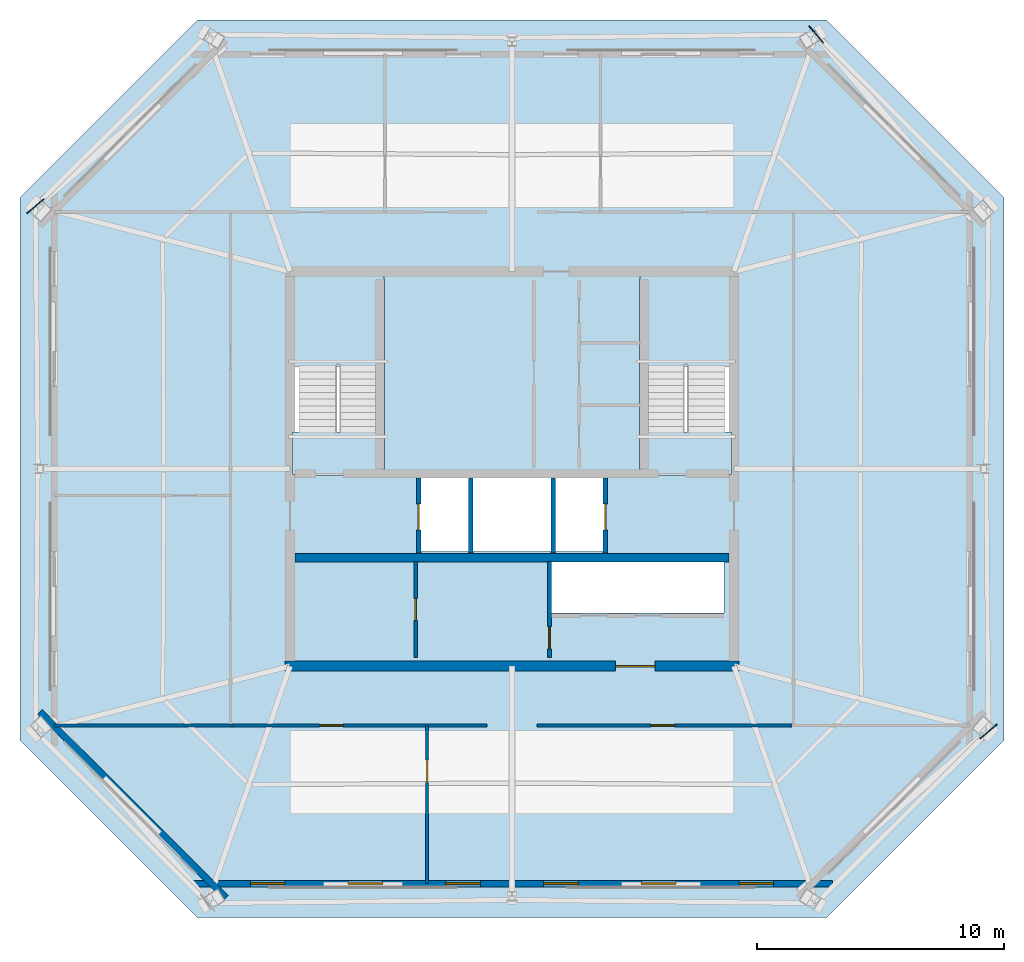
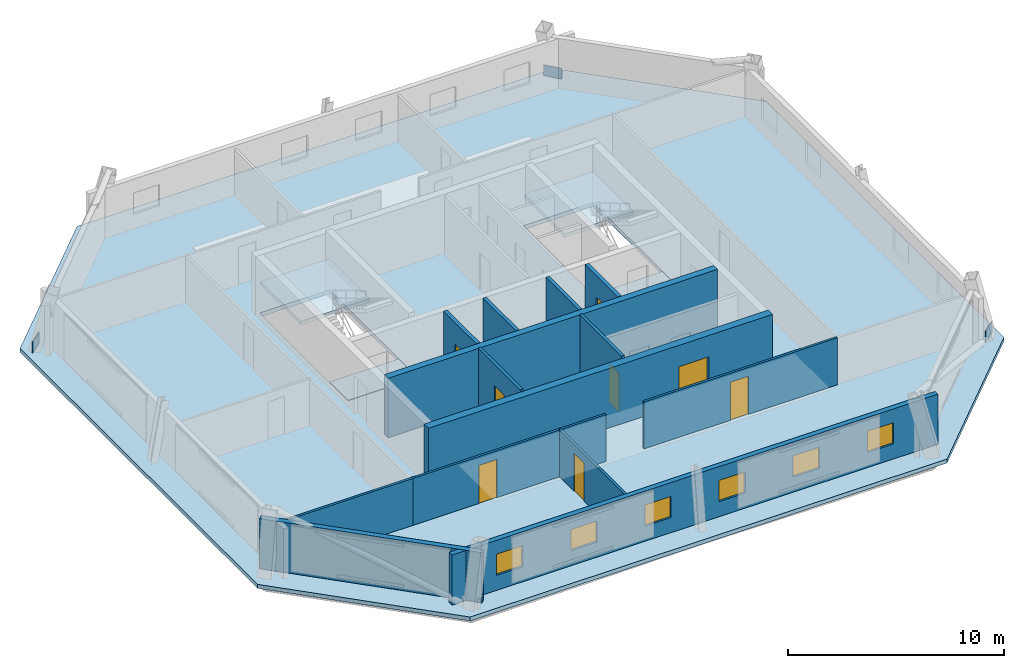
# One storey, part 2 of 6: 14 walls, 8 doors, 6 windows, 5 slabs, 3 plates, 14 openings, 2 elements without a shape of their own.
"""IFC4 building model written with IfcOpenShell, lengths in metres."""

from ifc_helpers import new_model, si_unit, direction, frame, frame_2d, origin, origin_2d, place, context, subcontext, project, spatial, polyline, rectangle, outline, extrude, material, layer, layer_set, type_object, element, fill, aggregate, save


model = new_model("IFC4")

# Units and contexts
model_context = context("Model", 3, precision=1e-05, world=origin(), true_north=direction((0.0, 1.0)))
body_context = subcontext(model_context, "Body", "Model", "MODEL_VIEW")
ifc_project = project(units=[si_unit("LENGTHUNIT", "METRE"), si_unit("AREAUNIT", "SQUARE_METRE"), si_unit("VOLUMEUNIT", "CUBIC_METRE"), si_unit("PLANEANGLEUNIT", "RADIAN"), si_unit("MASSUNIT", "GRAM", prefix="KILO")], contexts=[model_context])

# Site, building, storey
site_placement = place(None, origin())
site = spatial("IfcSite", under=ifc_project, at=site_placement, CompositionType="ELEMENT")
building_placement = place(site_placement, origin())
building = spatial("IfcBuilding", under=site, at=building_placement, Name="Caelvoria Tower", CompositionType="ELEMENT")
storey_placement = place(building_placement, frame((0.0, 0.0, 246.60009765625)))
storey = spatial("IfcBuildingStorey", under=building, at=storey_placement, Name="L65", CompositionType="ELEMENT", Elevation=246.60009765625)

# Plates
ifc_material_1 = material(Name="Structural Steel ASTM A572 Gr.50", Category="steel")
ifc_layer_1 = layer(ifc_material_1, 0.0400390625, Name="Structural Steel ASTM A572 Gr.50")
ifc_layer_set_1 = layer_set([ifc_layer_1], Name="Megaframe Node Gusset Plate 900x600x40 - Structural Steel ASTM A572 Gr.50")
plate_type = type_object("IfcPlateType", Name="Megaframe Node Gusset Plate 900x600x40", PredefinedType="USERDEFINED", material=ifc_layer_set_1)
for number, where, z_axis, x_axis, name in (
    (1, (65.319580078125, 21.34765625, 0.019775390625), (0.0, 0.0, 1.0), (-0.763235852869, -0.646119983358, 0.0), "Chamfer Mega Brace Gusset L65 SE"),
    (2, (58.3369140625, 49.6103515625, 0.019775390625), (0.0, 0.0, 1.0), (0.647212972006, -0.762309234411, 0.0), "Chamfer Mega Brace Gusset L65 NE"),
    (3, (26.680419921875, 42.65234375, 0.019775390625), (0.0, 0.0, 1.0), (0.763235852869, 0.646119983358, 0.0), "Chamfer Mega Brace Gusset L65 NW"),
):
    element("IfcPlate", number, at=place(storey_placement, frame(where, z_axis=z_axis, x_axis=x_axis)), inside=storey, type_object=plate_type, Name=name, ObjectType="GUSSET_PLATE", PredefinedType="USERDEFINED", context=body_context, shape_type="SweptSolid", body=[
        extrude(rectangle(XDim=0.89990234375, YDim=0.0400390625, at=origin_2d()), origin(), (0.0, 0.0, 1.0), 0.60009765625),
    ])

# Stair, slabs
ifc_material_2 = material(Name="Concrete C40/50", Category="concrete")
stair_type = type_object("IfcStairType", Name="Core Smokeproof Dogleg Stair Concrete C40/50", PredefinedType="HALF_TURN_STAIR", material=ifc_material_2)
stair_1_placement = place(storey_placement, origin())
stair_1 = element("IfcStair", 4, at=stair_1_placement, inside=storey, type_object=stair_type, Name="ST-01 Smokeproof Exit Stair L65", PredefinedType="HALF_TURN_STAIR")
ifc_layer_2 = layer(ifc_material_2, 0.199951171875, Name="Concrete C40/50")
ifc_layer_set_2 = layer_set([ifc_layer_2], Name="Stair Half and Floor Landing Slab 200 Concrete C40/50 - Concrete C40/50")
slab_type_1 = type_object("IfcSlabType", Name="Stair Half and Floor Landing Slab 200 Concrete C40/50", PredefinedType="LANDING", material=ifc_layer_set_2)
slab_1_placement = place(storey_placement, frame((0.0, 0.0, -0.2001953125)))
slab_1 = element("IfcSlab", 5, at=slab_1_placement, type_object=slab_type_1, Name="ST-01 landing 1", PredefinedType="LANDING", context=body_context, shape_type="SweptSolid", body=[
    extrude(outline(polyline([(37.10009765625, 31.77001953125), (40.800048828125, 31.77001953125), (40.800048828125, 33.5), (37.10009765625, 33.5), (37.10009765625, 31.77001953125)])), origin(), (0.0, 0.0, 1.0), 0.2001953125),
])
slab_2_placement = place(storey_placement, frame((0.0, 0.0, 1.599853515625)))
slab_2 = element("IfcSlab", 6, at=slab_2_placement, type_object=slab_type_1, Name="ST-01 landing 2", PredefinedType="LANDING", context=body_context, shape_type="SweptSolid", body=[
    extrude(outline(polyline([(37.10009765625, 36.14990234375), (40.800048828125, 36.14990234375), (40.800048828125, 39.89990234375), (37.10009765625, 39.89990234375), (37.10009765625, 36.14990234375)])), origin(), (0.0, 0.0, 1.0), 0.199951171875),
])
aggregate(stair_1, [slab_1, slab_2])

stair_2_placement = place(storey_placement, origin())
stair_2 = element("IfcStair", 7, at=stair_2_placement, inside=storey, type_object=stair_type, Name="ST-02 Smokeproof Exit Stair L65", PredefinedType="HALF_TURN_STAIR")
slab_3_placement = place(storey_placement, frame((0.0, 0.0, -0.2001953125)))
slab_3 = element("IfcSlab", 8, at=slab_3_placement, type_object=slab_type_1, Name="ST-02 landing 1", PredefinedType="LANDING", context=body_context, shape_type="SweptSolid", body=[
    extrude(outline(polyline([(51.199951171875, 31.77001953125), (54.89990234375, 31.77001953125), (54.89990234375, 33.5), (51.199951171875, 33.5), (51.199951171875, 31.77001953125)])), origin(), (0.0, 0.0, 1.0), 0.2001953125),
])
slab_4_placement = place(storey_placement, frame((0.0, 0.0, 1.599853515625)))
slab_4 = element("IfcSlab", 9, at=slab_4_placement, type_object=slab_type_1, Name="ST-02 landing 2", PredefinedType="LANDING", context=body_context, shape_type="SweptSolid", body=[
    extrude(outline(polyline([(51.199951171875, 36.14990234375), (54.89990234375, 36.14990234375), (54.89990234375, 39.89990234375), (51.199951171875, 39.89990234375), (51.199951171875, 36.14990234375)])), origin(), (0.0, 0.0, 1.0), 0.199951171875),
])
aggregate(stair_2, [slab_3, slab_4])

# Slab
ifc_layer_3 = layer(ifc_material_2, 0.22509765625, Name="Concrete C40/50")
ifc_layer_set_3 = layer_set([ifc_layer_3], Name="Upper Tower Composite Office Slab 225 - Concrete C40/50")
slab_type_2 = type_object("IfcSlabType", Name="Upper Tower Composite Office Slab 225", PredefinedType="FLOOR", material=ifc_layer_set_3)
slab_5_placement = place(storey_placement, frame((0.0, 0.0, -0.22509765625)))
element("IfcSlab", 10, at=slab_5_placement, inside=storey, type_object=slab_type_2, Name="Level L65 Structural Floor Slab", PredefinedType="FLOOR", context=body_context, shape_type="SweptSolid", body=[
    extrude(outline(polyline([(33.25, 13.800048828125), (58.75, 13.800048828125), (65.949951171875, 21.0), (65.949951171875, 43.0), (58.75, 50.199951171875), (33.25, 50.199951171875), (26.050048828125, 43.0), (26.050048828125, 21.0), (33.25, 13.800048828125)]), holes=[polyline([(37.080078125, 31.75), (40.820068359375, 31.75), (40.820068359375, 39.919921875), (37.080078125, 39.919921875), (37.080078125, 31.75)]), polyline([(51.179931640625, 31.75), (54.919921875, 31.75), (54.919921875, 39.919921875), (51.179931640625, 39.919921875), (51.179931640625, 31.75)]), polyline([(42.25, 28.64990234375), (49.75, 28.64990234375), (49.75, 31.800048828125), (42.25, 31.800048828125), (42.25, 28.64990234375)]), polyline([(47.60009765625, 26.14990234375), (54.60009765625, 26.14990234375), (54.60009765625, 28.25), (47.60009765625, 28.25), (47.60009765625, 26.14990234375)])]), origin(), (0.0, 0.0, 1.0), 0.22509765625),
])

# Wall
ifc_material_3 = material(Name="Concrete C50/60", Category="concrete")
ifc_layer_4 = layer(ifc_material_3, 0.35009765625, Name="Concrete C50/60")
ifc_layer_set_4 = layer_set([ifc_layer_4], Name="Core Internal Shear Wall 350 - Concrete C50/60")
wall_type_1 = type_object("IfcWallType", Name="Core Internal Shear Wall 350", PredefinedType="SHEAR", material=ifc_layer_set_4)
wall_1_placement = place(storey_placement, frame((37.199951171875, 28.39990234375, 0.0), z_axis=(0.0, 0.0, 1.0), x_axis=(1.0, 0.0, 0.0)))
element("IfcWall", 11, at=wall_1_placement, inside=storey, type_object=wall_type_1, Name="Core Shear Wall L65 M2", PredefinedType="SHEAR", context=body_context, shape_type="SweptSolid", body=[
    extrude(rectangle(XDim=17.60009765625, YDim=0.35009765625, at=frame_2d((8.800048828125, 0.0))), origin(), (0.0, 0.0, 1.0), 3.35986328125),
])

# Wall, opening, door
ifc_material_4 = material(Name="Double Gypsum Board on Steel Stud", Category="steel")
ifc_layer_5 = layer(ifc_material_4, 0.14990234375, Name="Double Gypsum Board on Steel Stud")
ifc_layer_set_5 = layer_set([ifc_layer_5], Name="Core Service Acoustic Partition Wall 150 - Double Gypsum Board on Steel Stud")
wall_type_2 = type_object("IfcWallType", Name="Core Service Acoustic Partition Wall 150", PredefinedType="PARTITIONING", material=ifc_layer_set_5)
wall_2_placement = place(storey_placement, frame((42.10009765625, 24.35009765625, 0.0), z_axis=(0.0, 0.0, 1.0), x_axis=(0.0, 1.0, 0.0)))
wall_2 = element("IfcWall", 12, at=wall_2_placement, inside=storey, type_object=wall_type_2, Name="Interior Partition IW-L65-RECL-MID", PredefinedType="PARTITIONING", context=body_context, shape_type="SweptSolid", body=[
    extrude(rectangle(XDim=3.89990234375, YDim=0.14990234375, at=frame_2d((1.949951171875, 0.0))), origin(), (0.0, 0.0, 1.0), 3.375),
])
opening_1_placement = place(wall_2_placement, frame((1.5, 0.0, 0.0)))
opening_1 = element("IfcOpeningElement", 13, at=opening_1_placement, cuts=wall_2, Name="Opening ID-06", PredefinedType="OPENING", context=body_context, shape_type="SweptSolid", body=[
    extrude(rectangle(XDim=0.89990234375, YDim=2.14990234375, at=frame_2d((0.449951171875, 1.074951171875))), frame((0.0, 0.0849609375, 0.0), z_axis=(0.0, -1.0, 0.0), x_axis=(1.0, 0.0, 0.0)), (0.0, 0.0, 1.0), 0.169921875),
])
ifc_material_5 = material(Name="Engineered Andean Oak Veneer Door", Category="wood")
door_type_1 = type_object("IfcDoorType", Name="Interior Timber Door 900x2150", OperationType="NOTDEFINED", PredefinedType="DOOR", material=ifc_material_5)
door_1_placement = place(opening_1_placement, origin())
door_1 = element("IfcDoor", 14, at=door_1_placement, inside=storey, type_object=door_type_1, Name="Interior Door DR-L65-RECL12", OperationType="SINGLE_SWING_LEFT", OverallHeight=2.14990234375, OverallWidth=0.89990234375, PredefinedType="DOOR", context=body_context, shape_type="SweptSolid", body=[
    extrude(rectangle(XDim=0.89990234375, YDim=2.14990234375, at=frame_2d((0.449951171875, 1.074951171875))), frame((0.0, 0.02490234375, 0.0), z_axis=(0.0, -1.0, 0.0), x_axis=(1.0, 0.0, 0.0)), (0.0, 0.0, 1.0), 0.050048828125),
])
fill(opening_1, door_1)

wall_3_placement = place(storey_placement, frame((47.52001953125, 24.35009765625, 0.0), z_axis=(0.0, 0.0, 1.0), x_axis=(0.0, 1.0, 0.0)))
wall_3 = element("IfcWall", 15, at=wall_3_placement, inside=storey, type_object=wall_type_2, Name="Interior Partition IW-L65-RECL2E", PredefinedType="PARTITIONING", context=body_context, shape_type="SweptSolid", body=[
    extrude(rectangle(XDim=3.89990234375, YDim=0.14990234375, at=frame_2d((1.949951171875, 0.0))), origin(), (0.0, 0.0, 1.0), 3.375),
])
opening_2_placement = place(wall_3_placement, frame((0.35009765625, 0.0, 0.0)))
opening_2 = element("IfcOpeningElement", 16, at=opening_2_placement, cuts=wall_3, Name="Opening ID-04", PredefinedType="OPENING", context=body_context, shape_type="SweptSolid", body=[
    extrude(rectangle(XDim=0.89990234375, YDim=2.14990234375, at=frame_2d((0.449951171875, 1.074951171875))), frame((0.0, 0.0849609375, 0.0), z_axis=(0.0, -1.0, 0.0), x_axis=(1.0, 0.0, 0.0)), (0.0, 0.0, 1.0), 0.169921875),
])
ifc_material_6 = material(Name="Acoustic Timber Fire Door", Category="wood")
door_type_2 = type_object("IfcDoorType", Name="Fire Door FD30S 900x2150", OperationType="NOTDEFINED", PredefinedType="DOOR", material=ifc_material_6)
door_2_placement = place(opening_2_placement, origin())
door_2 = element("IfcDoor", 17, at=door_2_placement, inside=storey, type_object=door_type_2, Name="Interior Door DR-L65-RECL2", OperationType="SINGLE_SWING_RIGHT", OverallHeight=2.14990234375, OverallWidth=0.89990234375, PredefinedType="DOOR", context=body_context, shape_type="SweptSolid", body=[
    extrude(rectangle(XDim=0.89990234375, YDim=2.14990234375, at=frame_2d((0.449951171875, 1.074951171875))), frame((0.0, 0.02490234375, 0.0), z_axis=(0.0, -1.0, 0.0), x_axis=(1.0, 0.0, 0.0)), (0.0, 0.0, 1.0), 0.050048828125),
])
fill(opening_2, door_2)

# Walls
ifc_material_7 = material(Name="Concrete Block and Fireboard Assembly", Category="concrete")
ifc_layer_6 = layer(ifc_material_7, 0.179931640625, Name="Concrete Block and Fireboard Assembly")
ifc_layer_set_6 = layer_set([ifc_layer_6], Name="Fire-Rated Hoistway Partition Wall 180 - Concrete Block and Fireboard Assembly")
wall_type_3 = type_object("IfcWallType", Name="Fire-Rated Hoistway Partition Wall 180", PredefinedType="PARTITIONING", material=ifc_layer_set_6)
for number, where, z_axis, x_axis, name in (
    (18, (44.320068359375, 28.580078125, 0.0), (0.0, 0.0, 1.0), (0.0, 1.0, 0.0), "Interior Partition IW-L65-SV1W"),
    (19, (47.679931640625, 28.580078125, 0.0), (0.0, 0.0, 1.0), (0.0, 1.0, 0.0), "Interior Partition IW-L65-SV1E"),
):
    element("IfcWall", number, at=place(storey_placement, frame(where, z_axis=z_axis, x_axis=x_axis)), inside=storey, type_object=wall_type_3, Name=name, PredefinedType="PARTITIONING", context=body_context, shape_type="SweptSolid", body=[
        extrude(rectangle(XDim=3.0400390625, YDim=0.179931640625, at=frame_2d((1.52001953125, 0.0))), origin(), (0.0, 0.0, 1.0), 3.375),
    ])

# Wall, opening, door
ifc_layer_7 = layer(ifc_material_7, 0.199951171875, Name="Concrete Block and Fireboard Assembly")
ifc_layer_set_7 = layer_set([ifc_layer_7], Name="Fire-Rated Shaft and Core Partition Wall 200 - Concrete Block and Fireboard Assembly")
wall_type_4 = type_object("IfcWallType", Name="Fire-Rated Shaft and Core Partition Wall 200", PredefinedType="PARTITIONING", material=ifc_layer_set_7)
wall_4_placement = place(storey_placement, frame((42.219970703125, 28.580078125, 0.0), z_axis=(0.0, 0.0, 1.0), x_axis=(0.0, 1.0, 0.0)))
wall_4 = element("IfcWall", 20, at=wall_4_placement, inside=storey, type_object=wall_type_4, Name="Interior Partition IW-L65-LF1W", PredefinedType="PARTITIONING", context=body_context, shape_type="SweptSolid", body=[
    extrude(rectangle(XDim=3.0400390625, YDim=0.199951171875, at=frame_2d((1.52001953125, 0.0))), origin(), (0.0, 0.0, 1.0), 3.375),
])
opening_3_placement = place(wall_4_placement, frame((0.949951171875, 0.0, 0.0)))
opening_3 = element("IfcOpeningElement", 21, at=opening_3_placement, cuts=wall_4, Name="Opening LD-01", PredefinedType="OPENING", context=body_context, shape_type="SweptSolid", body=[
    extrude(rectangle(XDim=1.050048828125, YDim=2.14990234375, at=frame_2d((0.52490234375, 1.074951171875))), frame((0.0, 0.10986328125, 0.0), z_axis=(0.0, -1.0, 0.0), x_axis=(1.0, 0.0, 0.0)), (0.0, 0.0, 1.0), 0.219970703125),
])
ifc_material_8 = material(Name="Brushed Bronze Stainless Sliding Landing Door", Category="aluminium")
door_type_3 = type_object("IfcDoorType", Name="Lift Landing Sliding Door 1100x2150", OperationType="NOTDEFINED", PredefinedType="DOOR", material=ifc_material_8)
door_3_placement = place(opening_3_placement, origin())
door_3 = element("IfcDoor", 22, at=door_3_placement, inside=storey, type_object=door_type_3, Name="Interior Door LD-L65-LF1", OperationType="SLIDING_TO_LEFT", OverallHeight=2.14990234375, OverallWidth=1.050048828125, PredefinedType="DOOR", context=body_context, shape_type="SweptSolid", body=[
    extrude(rectangle(XDim=1.050048828125, YDim=2.14990234375, at=frame_2d((0.52490234375, 1.074951171875))), frame((0.0, 0.02490234375, 0.0), z_axis=(0.0, -1.0, 0.0), x_axis=(1.0, 0.0, 0.0)), (0.0, 0.0, 1.0), 0.050048828125),
])
fill(opening_3, door_3)

wall_5_placement = place(storey_placement, frame((49.780029296875, 28.580078125, 0.0), z_axis=(0.0, 0.0, 1.0), x_axis=(0.0, 1.0, 0.0)))
wall_5 = element("IfcWall", 23, at=wall_5_placement, inside=storey, type_object=wall_type_4, Name="Interior Partition IW-L65-LF2E", PredefinedType="PARTITIONING", context=body_context, shape_type="SweptSolid", body=[
    extrude(rectangle(XDim=3.0400390625, YDim=0.199951171875, at=frame_2d((1.52001953125, 0.0))), origin(), (0.0, 0.0, 1.0), 3.375),
])
opening_4_placement = place(wall_5_placement, frame((0.949951171875, 0.0, 0.0)))
opening_4 = element("IfcOpeningElement", 24, at=opening_4_placement, cuts=wall_5, Name="Opening LD-01", PredefinedType="OPENING", context=body_context, shape_type="SweptSolid", body=[
    extrude(rectangle(XDim=1.050048828125, YDim=2.14990234375, at=frame_2d((0.52490234375, 1.074951171875))), frame((0.0, 0.10986328125, 0.0), z_axis=(0.0, -1.0, 0.0), x_axis=(1.0, 0.0, 0.0)), (0.0, 0.0, 1.0), 0.219970703125),
])
door_4_placement = place(opening_4_placement, origin())
door_4 = element("IfcDoor", 25, at=door_4_placement, inside=storey, type_object=door_type_3, Name="Interior Door LD-L65-LF2", OperationType="SLIDING_TO_RIGHT", OverallHeight=2.14990234375, OverallWidth=1.050048828125, PredefinedType="DOOR", context=body_context, shape_type="SweptSolid", body=[
    extrude(rectangle(XDim=1.050048828125, YDim=2.14990234375, at=frame_2d((0.52490234375, 1.074951171875))), frame((0.0, 0.02490234375, 0.0), z_axis=(0.0, -1.0, 0.0), x_axis=(1.0, 0.0, 0.0)), (0.0, 0.0, 1.0), 0.050048828125),
])
fill(opening_4, door_4)

ifc_layer_8 = layer(ifc_material_3, 0.39990234375, Name="Concrete C50/60")
ifc_layer_set_8 = layer_set([ifc_layer_8], Name="Summit Core Shear Wall 400 - Concrete C50/60")
wall_type_5 = type_object("IfcWallType", Name="Summit Core Shear Wall 400", PredefinedType="SHEAR", material=ifc_layer_set_8)
wall_6_placement = place(storey_placement, frame((36.800048828125, 24.0, 0.0), z_axis=(0.0, 0.0, 1.0), x_axis=(1.0, 0.0, 0.0)))
wall_6 = element("IfcWall", 26, at=wall_6_placement, inside=storey, type_object=wall_type_5, Name="Core Shear Wall L65 S", PredefinedType="SHEAR", context=body_context, shape_type="SweptSolid", body=[
    extrude(rectangle(XDim=18.39990234375, YDim=0.39990234375, at=frame_2d((9.199951171875, 0.0))), origin(), (0.0, 0.0, 1.0), 3.35986328125),
])
opening_5_placement = place(wall_6_placement, frame((13.39990234375, 0.0, 0.0)))
opening_5 = element("IfcOpeningElement", 27, at=opening_5_placement, cuts=wall_6, Name="Opening ID-08", PredefinedType="OPENING", context=body_context, shape_type="SweptSolid", body=[
    extrude(rectangle(XDim=1.60009765625, YDim=2.14990234375, at=frame_2d((0.800048828125, 1.074951171875))), frame((0.0, 0.2099609375, 0.0), z_axis=(0.0, -1.0, 0.0), x_axis=(1.0, 0.0, 0.0)), (0.0, 0.0, 1.0), 0.419921875),
])
ifc_material_9 = material(Name="Bronze-Framed Fire-Rated Glazed Double Door", Category="aluminium")
door_type_4 = type_object("IfcDoorType", Name="Double Lobby Glazed Door 1600x2200", OperationType="NOTDEFINED", PredefinedType="DOOR", material=ifc_material_9)
door_5_placement = place(opening_5_placement, origin())
door_5 = element("IfcDoor", 28, at=door_5_placement, inside=storey, type_object=door_type_4, Name="Core Door DR-L65-LLOB-S2", OperationType="DOUBLE_DOOR_SINGLE_SWING", OverallHeight=2.14990234375, OverallWidth=1.60009765625, PredefinedType="DOOR", context=body_context, shape_type="SweptSolid", body=[
    extrude(rectangle(XDim=1.60009765625, YDim=2.14990234375, at=frame_2d((0.800048828125, 1.074951171875))), frame((0.0, 0.02490234375, 0.0), z_axis=(0.0, -1.0, 0.0), x_axis=(1.0, 0.0, 0.0)), (0.0, 0.0, 1.0), 0.050048828125),
])
fill(opening_5, door_5)

ifc_material_10 = material(Name="Acoustic Gypsum Board on Light-Gauge Stud", Category="gypsum")
ifc_layer_9 = layer(ifc_material_10, 0.1201171875, Name="Acoustic Gypsum Board on Light-Gauge Stud")
ifc_layer_set_9 = layer_set([ifc_layer_9], Name="Tenant Suite Acoustic Partition Wall 120 - Acoustic Gypsum Board on Light-Gauge Stud")
wall_type_6 = type_object("IfcWallType", Name="Tenant Suite Acoustic Partition Wall 120", PredefinedType="PARTITIONING", material=ifc_layer_set_9)
wall_7_placement = place(storey_placement, frame((42.55908203125, 21.590087890625, 0.0), z_axis=(0.0, 0.0, 1.0), x_axis=(0.0, -1.0, 0.0)))
wall_7 = element("IfcWall", 29, at=wall_7_placement, inside=storey, type_object=wall_type_6, Name="Interior Partition IW-L65-SD-00-0", PredefinedType="PARTITIONING", context=body_context, shape_type="SweptSolid", body=[
    extrude(rectangle(XDim=6.41015625, YDim=0.1201171875, at=frame_2d((3.205078125, 0.0))), origin(), (0.0, 0.0, 1.0), 2.65478515625),
])
opening_6_placement = place(wall_7_placement, frame((1.39990234375, 0.0, 0.0)))
opening_6 = element("IfcOpeningElement", 30, at=opening_6_placement, cuts=wall_7, Name="Opening ID-06", PredefinedType="OPENING", context=body_context, shape_type="SweptSolid", body=[
    extrude(rectangle(XDim=0.89990234375, YDim=2.14990234375, at=frame_2d((0.449951171875, 1.074951171875))), frame((0.0, 0.070068359375, 0.0), z_axis=(0.0, -1.0, 0.0), x_axis=(1.0, 0.0, 0.0)), (0.0, 0.0, 1.0), 0.14013671875),
])
door_6_placement = place(opening_6_placement, origin())
door_6 = element("IfcDoor", 31, at=door_6_placement, inside=storey, type_object=door_type_1, Name="Interior Door DR-L65-SM-00-0", OperationType="SINGLE_SWING_RIGHT", OverallHeight=2.14990234375, OverallWidth=0.89990234375, PredefinedType="DOOR", context=body_context, shape_type="SweptSolid", body=[
    extrude(rectangle(XDim=0.89990234375, YDim=2.14990234375, at=frame_2d((0.449951171875, 1.074951171875))), frame((0.0, 0.02490234375, 0.0), z_axis=(0.0, -1.0, 0.0), x_axis=(1.0, 0.0, 0.0)), (0.0, 0.0, 1.0), 0.050048828125),
])
fill(opening_6, door_6)

wall_8_placement = place(storey_placement, frame((34.64990234375, 21.590087890625, 0.0), z_axis=(0.0, 0.0, 1.0), x_axis=(1.0, 0.0, 0.0)))
wall_8 = element("IfcWall", 32, at=wall_8_placement, inside=storey, type_object=wall_type_6, Name="Interior Partition IW-L65-SCW-0", PredefinedType="PARTITIONING", context=body_context, shape_type="SweptSolid", body=[
    extrude(rectangle(XDim=10.330078125, YDim=0.1201171875, at=frame_2d((5.1650390625, 0.0))), origin(), (0.0, 0.0, 1.0), 2.65478515625),
])
opening_7_placement = place(wall_8_placement, frame((3.549560546875, 0.0, 0.0)))
opening_7 = element("IfcOpeningElement", 33, at=opening_7_placement, cuts=wall_8, Name="Opening ID-05", PredefinedType="OPENING", context=body_context, shape_type="SweptSolid", body=[
    extrude(rectangle(XDim=0.949951171875, YDim=2.14990234375, at=frame_2d((0.47509765625, 1.074951171875))), frame((0.0, 0.070068359375, 0.0), z_axis=(0.0, -1.0, 0.0), x_axis=(1.0, 0.0, 0.0)), (0.0, 0.0, 1.0), 0.14013671875),
])
door_type_5 = type_object("IfcDoorType", Name="Interior Timber Door 950x2150", OperationType="NOTDEFINED", PredefinedType="DOOR", material=ifc_material_5)
door_7_placement = place(opening_7_placement, origin())
door_7 = element("IfcDoor", 34, at=door_7_placement, inside=storey, type_object=door_type_5, Name="Interior Door DR-L65-SC-00-0", OperationType="SINGLE_SWING_RIGHT", OverallHeight=2.14990234375, OverallWidth=0.949951171875, PredefinedType="DOOR", context=body_context, shape_type="SweptSolid", body=[
    extrude(rectangle(XDim=0.949951171875, YDim=2.14990234375, at=frame_2d((0.47509765625, 1.074951171875))), frame((0.0, 0.02490234375, 0.0), z_axis=(0.0, -1.0, 0.0), x_axis=(1.0, 0.0, 0.0)), (0.0, 0.0, 1.0), 0.050048828125),
])
fill(opening_7, door_7)

wall_9_placement = place(storey_placement, frame((47.02001953125, 21.590087890625, 0.0), z_axis=(0.0, 0.0, 1.0), x_axis=(1.0, 0.0, 0.0)))
wall_9 = element("IfcWall", 35, at=wall_9_placement, inside=storey, type_object=wall_type_6, Name="Interior Partition IW-L65-SCW-1", PredefinedType="PARTITIONING", context=body_context, shape_type="SweptSolid", body=[
    extrude(rectangle(XDim=10.330078125, YDim=0.1201171875, at=frame_2d((5.1650390625, 0.0))), origin(), (0.0, 0.0, 1.0), 2.65478515625),
])
opening_8_placement = place(wall_9_placement, frame((4.6201171875, 0.0, 0.0)))
opening_8 = element("IfcOpeningElement", 36, at=opening_8_placement, cuts=wall_9, Name="Opening ID-05", PredefinedType="OPENING", context=body_context, shape_type="SweptSolid", body=[
    extrude(rectangle(XDim=0.949951171875, YDim=2.14990234375, at=frame_2d((0.47509765625, 1.074951171875))), frame((0.0, 0.070068359375, 0.0), z_axis=(0.0, -1.0, 0.0), x_axis=(1.0, 0.0, 0.0)), (0.0, 0.0, 1.0), 0.14013671875),
])
door_8_placement = place(opening_8_placement, origin())
door_8 = element("IfcDoor", 37, at=door_8_placement, inside=storey, type_object=door_type_5, Name="Interior Door DR-L65-SC-02-0", OperationType="SINGLE_SWING_RIGHT", OverallHeight=2.14990234375, OverallWidth=0.949951171875, PredefinedType="DOOR", context=body_context, shape_type="SweptSolid", body=[
    extrude(rectangle(XDim=0.949951171875, YDim=2.14990234375, at=frame_2d((0.47509765625, 1.074951171875))), frame((0.0, 0.02490234375, 0.0), z_axis=(0.0, -1.0, 0.0), x_axis=(1.0, 0.0, 0.0)), (0.0, 0.0, 1.0), 0.050048828125),
])
fill(opening_8, door_8)

# Wall
wall_10_placement = place(storey_placement, frame((34.64990234375, 21.590087890625, 0.0), z_axis=(0.0, 0.0, 1.0), x_axis=(-1.0, 0.0, 0.0)))
element("IfcWall", 38, at=wall_10_placement, inside=storey, type_object=wall_type_6, Name="Interior Partition IW-L65-BSW-0", PredefinedType="PARTITIONING", context=body_context, shape_type="SweptSolid", body=[
    extrude(rectangle(XDim=7.219970703125, YDim=0.1201171875, at=frame_2d((3.60986328125, 0.0))), origin(), (0.0, 0.0, 1.0), 2.65478515625),
])

# Wall, openings, windows
ifc_material_11 = material(Name="Precast Concrete C40/50 with Bronze Cladding", Category="concrete")
ifc_layer_10 = layer(ifc_material_11, 0.264892578125, Name="Precast Concrete C40/50 with Bronze Cladding")
ifc_layer_set_10 = layer_set([ifc_layer_10], Name="Upper Taper Precast Concrete C40/50 Bronze Facade Wall 265 - Precast Concrete C40/50 with Bronze Cladding")
wall_type_7 = type_object("IfcWallType", Name="Upper Taper Precast Concrete C40/50 Bronze Facade Wall 265", PredefinedType="STANDARD", material=ifc_layer_set_10)
wall_11_placement = place(storey_placement, frame((33.010009765625, 15.179931640625, 0.0), z_axis=(0.0, 0.0, 1.0), x_axis=(1.0, 0.0, 0.0)))
wall_11 = element("IfcWall", 39, at=wall_11_placement, inside=storey, type_object=wall_type_7, Name="Exterior Facade Wall L65-E0", PredefinedType="STANDARD", context=body_context, shape_type="SweptSolid", body=[
    extrude(rectangle(XDim=25.97998046875, YDim=0.264892578125, at=frame_2d((12.989990234375, 0.0))), origin(), (0.0, 0.0, 1.0), 2.831787109375),
])
opening_9_placement = place(wall_11_placement, frame((2.381591796875, 0.0, 0.85009765625)))
opening_9 = element("IfcOpeningElement", 40, at=opening_9_placement, cuts=wall_11, Name="Opening WN-06", PredefinedType="OPENING", context=body_context, shape_type="SweptSolid", body=[
    extrude(rectangle(XDim=1.39990234375, YDim=1.199951171875, at=frame_2d((0.699951171875, 0.60009765625))), frame((0.0, 0.142333984375, 0.0), z_axis=(0.0, -1.0, 0.0), x_axis=(1.0, 0.0, 0.0)), (0.0, 0.0, 1.0), 0.284912109375),
])
opening_10_placement = place(wall_11_placement, frame((6.344970703125, 0.0, 0.85009765625)))
opening_10 = element("IfcOpeningElement", 41, at=opening_10_placement, cuts=wall_11, Name="Opening WN-06", PredefinedType="OPENING", context=body_context, shape_type="SweptSolid", body=[
    extrude(rectangle(XDim=1.39990234375, YDim=1.199951171875, at=frame_2d((0.699951171875, 0.60009765625))), frame((0.0, 0.142333984375, 0.0), z_axis=(0.0, -1.0, 0.0), x_axis=(1.0, 0.0, 0.0)), (0.0, 0.0, 1.0), 0.284912109375),
])
opening_11_placement = place(wall_11_placement, frame((10.308349609375, 0.0, 0.85009765625)))
opening_11 = element("IfcOpeningElement", 42, at=opening_11_placement, cuts=wall_11, Name="Opening WN-06", PredefinedType="OPENING", context=body_context, shape_type="SweptSolid", body=[
    extrude(rectangle(XDim=1.39990234375, YDim=1.199951171875, at=frame_2d((0.699951171875, 0.60009765625))), frame((0.0, 0.142333984375, 0.0), z_axis=(0.0, -1.0, 0.0), x_axis=(1.0, 0.0, 0.0)), (0.0, 0.0, 1.0), 0.284912109375),
])
opening_12_placement = place(wall_11_placement, frame((14.271728515625, 0.0, 0.85009765625)))
opening_12 = element("IfcOpeningElement", 43, at=opening_12_placement, cuts=wall_11, Name="Opening WN-06", PredefinedType="OPENING", context=body_context, shape_type="SweptSolid", body=[
    extrude(rectangle(XDim=1.39990234375, YDim=1.199951171875, at=frame_2d((0.699951171875, 0.60009765625))), frame((0.0, 0.142333984375, 0.0), z_axis=(0.0, -1.0, 0.0), x_axis=(1.0, 0.0, 0.0)), (0.0, 0.0, 1.0), 0.284912109375),
])
opening_13_placement = place(wall_11_placement, frame((18.235107421875, 0.0, 0.85009765625)))
opening_13 = element("IfcOpeningElement", 44, at=opening_13_placement, cuts=wall_11, Name="Opening WN-06", PredefinedType="OPENING", context=body_context, shape_type="SweptSolid", body=[
    extrude(rectangle(XDim=1.39990234375, YDim=1.199951171875, at=frame_2d((0.699951171875, 0.60009765625))), frame((0.0, 0.142333984375, 0.0), z_axis=(0.0, -1.0, 0.0), x_axis=(1.0, 0.0, 0.0)), (0.0, 0.0, 1.0), 0.284912109375),
])
opening_14_placement = place(wall_11_placement, frame((22.1982421875, 0.0, 0.85009765625)))
opening_14 = element("IfcOpeningElement", 45, at=opening_14_placement, cuts=wall_11, Name="Opening WN-06", PredefinedType="OPENING", context=body_context, shape_type="SweptSolid", body=[
    extrude(rectangle(XDim=1.39990234375, YDim=1.199951171875, at=frame_2d((0.699951171875, 0.60009765625))), frame((0.0, 0.142333984375, 0.0), z_axis=(0.0, -1.0, 0.0), x_axis=(1.0, 0.0, 0.0)), (0.0, 0.0, 1.0), 0.284912109375),
])
ifc_material_12 = material(Name="Low-E Tinted Glass in Bronze Aluminium Frame", Category="aluminium")
window_type = type_object("IfcWindowType", Name="Podium Clerestory Window 1400x1200", PartitioningType="SINGLE_PANEL", PredefinedType="WINDOW", material=ifc_material_12)
window_1_placement = place(opening_9_placement, origin())
window_1 = element("IfcWindow", 46, at=window_1_placement, inside=storey, type_object=window_type, Name="Facade Window L65-E0-00", OverallHeight=1.199951171875, OverallWidth=1.39990234375, PartitioningType="SINGLE_PANEL", PredefinedType="WINDOW", context=body_context, shape_type="SweptSolid", body=[
    extrude(rectangle(XDim=1.39990234375, YDim=1.199951171875, at=frame_2d((0.699951171875, 0.60009765625))), frame((0.0, 0.030029296875, 0.0), z_axis=(0.0, -1.0, 0.0), x_axis=(1.0, 0.0, 0.0)), (0.0, 0.0, 1.0), 0.06005859375),
])
fill(opening_9, window_1)
window_2_placement = place(opening_10_placement, origin())
window_2 = element("IfcWindow", 47, at=window_2_placement, inside=storey, type_object=window_type, Name="Facade Window L65-E0-01", OverallHeight=1.199951171875, OverallWidth=1.39990234375, PartitioningType="SINGLE_PANEL", PredefinedType="WINDOW", context=body_context, shape_type="SweptSolid", body=[
    extrude(rectangle(XDim=1.39990234375, YDim=1.199951171875, at=frame_2d((0.699951171875, 0.60009765625))), frame((0.0, 0.030029296875, 0.0), z_axis=(0.0, -1.0, 0.0), x_axis=(1.0, 0.0, 0.0)), (0.0, 0.0, 1.0), 0.06005859375),
])
fill(opening_10, window_2)
window_3_placement = place(opening_11_placement, origin())
window_3 = element("IfcWindow", 48, at=window_3_placement, inside=storey, type_object=window_type, Name="Facade Window L65-E0-02", OverallHeight=1.199951171875, OverallWidth=1.39990234375, PartitioningType="SINGLE_PANEL", PredefinedType="WINDOW", context=body_context, shape_type="SweptSolid", body=[
    extrude(rectangle(XDim=1.39990234375, YDim=1.199951171875, at=frame_2d((0.699951171875, 0.60009765625))), frame((0.0, 0.030029296875, 0.0), z_axis=(0.0, -1.0, 0.0), x_axis=(1.0, 0.0, 0.0)), (0.0, 0.0, 1.0), 0.06005859375),
])
fill(opening_11, window_3)
window_4_placement = place(opening_12_placement, origin())
window_4 = element("IfcWindow", 49, at=window_4_placement, inside=storey, type_object=window_type, Name="Facade Window L65-E0-03", OverallHeight=1.199951171875, OverallWidth=1.39990234375, PartitioningType="SINGLE_PANEL", PredefinedType="WINDOW", context=body_context, shape_type="SweptSolid", body=[
    extrude(rectangle(XDim=1.39990234375, YDim=1.199951171875, at=frame_2d((0.699951171875, 0.60009765625))), frame((0.0, 0.030029296875, 0.0), z_axis=(0.0, -1.0, 0.0), x_axis=(1.0, 0.0, 0.0)), (0.0, 0.0, 1.0), 0.06005859375),
])
fill(opening_12, window_4)
window_5_placement = place(opening_13_placement, origin())
window_5 = element("IfcWindow", 50, at=window_5_placement, inside=storey, type_object=window_type, Name="Facade Window L65-E0-04", OverallHeight=1.199951171875, OverallWidth=1.39990234375, PartitioningType="SINGLE_PANEL", PredefinedType="WINDOW", context=body_context, shape_type="SweptSolid", body=[
    extrude(rectangle(XDim=1.39990234375, YDim=1.199951171875, at=frame_2d((0.699951171875, 0.60009765625))), frame((0.0, 0.030029296875, 0.0), z_axis=(0.0, -1.0, 0.0), x_axis=(1.0, 0.0, 0.0)), (0.0, 0.0, 1.0), 0.06005859375),
])
fill(opening_13, window_5)
window_6_placement = place(opening_14_placement, origin())
window_6 = element("IfcWindow", 51, at=window_6_placement, inside=storey, type_object=window_type, Name="Facade Window L65-E0-05", OverallHeight=1.199951171875, OverallWidth=1.39990234375, PartitioningType="SINGLE_PANEL", PredefinedType="WINDOW", context=body_context, shape_type="SweptSolid", body=[
    extrude(rectangle(XDim=1.39990234375, YDim=1.199951171875, at=frame_2d((0.699951171875, 0.60009765625))), frame((0.0, 0.030029296875, 0.0), z_axis=(0.0, -1.0, 0.0), x_axis=(1.0, 0.0, 0.0)), (0.0, 0.0, 1.0), 0.06005859375),
])
fill(opening_14, window_6)

# Wall
wall_12_placement = place(storey_placement, frame((26.856201171875, 22.1455078125, 0.0), z_axis=(0.0, 0.0, 1.0), x_axis=(0.707106781187, -0.707106781187, 0.0)))
element("IfcWall", 52, at=wall_12_placement, inside=storey, type_object=wall_type_7, Name="Exterior Facade Wall L65-E7", PredefinedType="STANDARD", context=body_context, shape_type="SweptSolid", body=[
    extrude(rectangle(XDim=10.662109375, YDim=0.264892578125, at=frame_2d((5.3310546875, 0.0))), origin(), (0.0, 0.0, 1.0), 2.831787109375),
])

save(model, "model.ifc")
